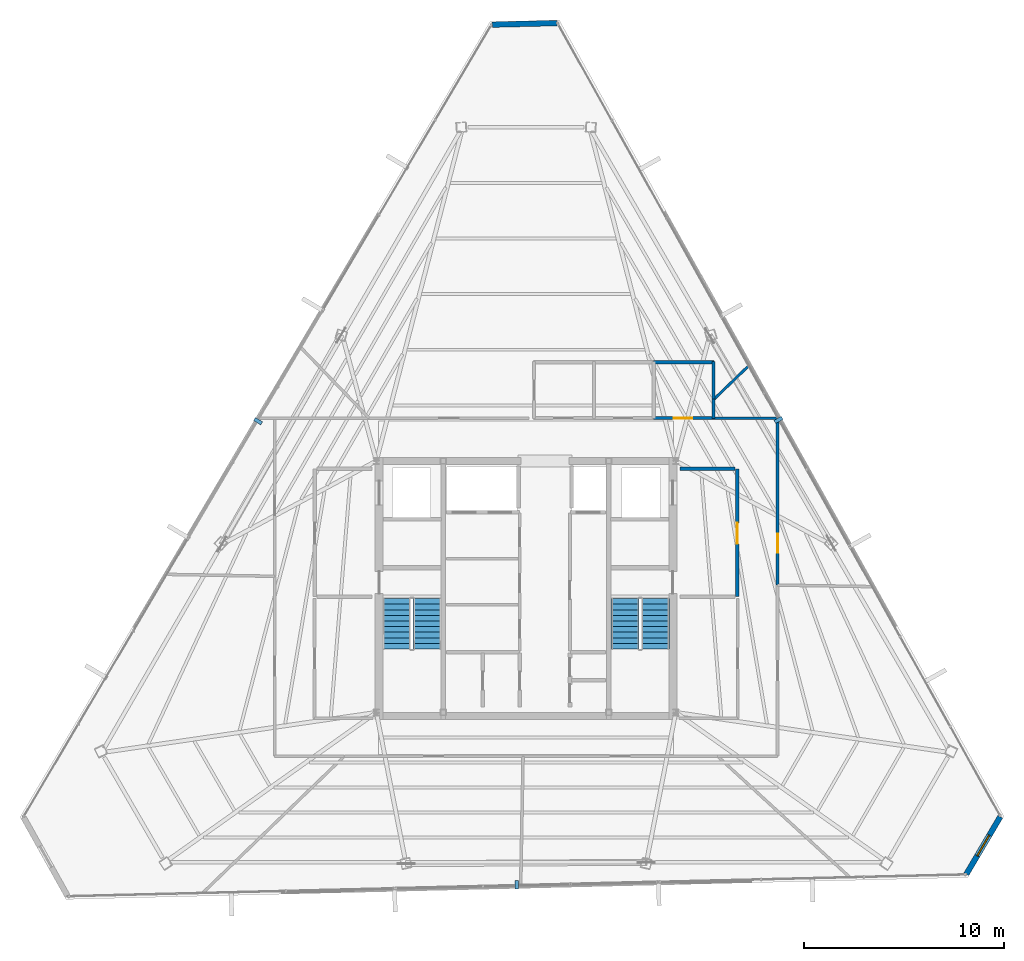
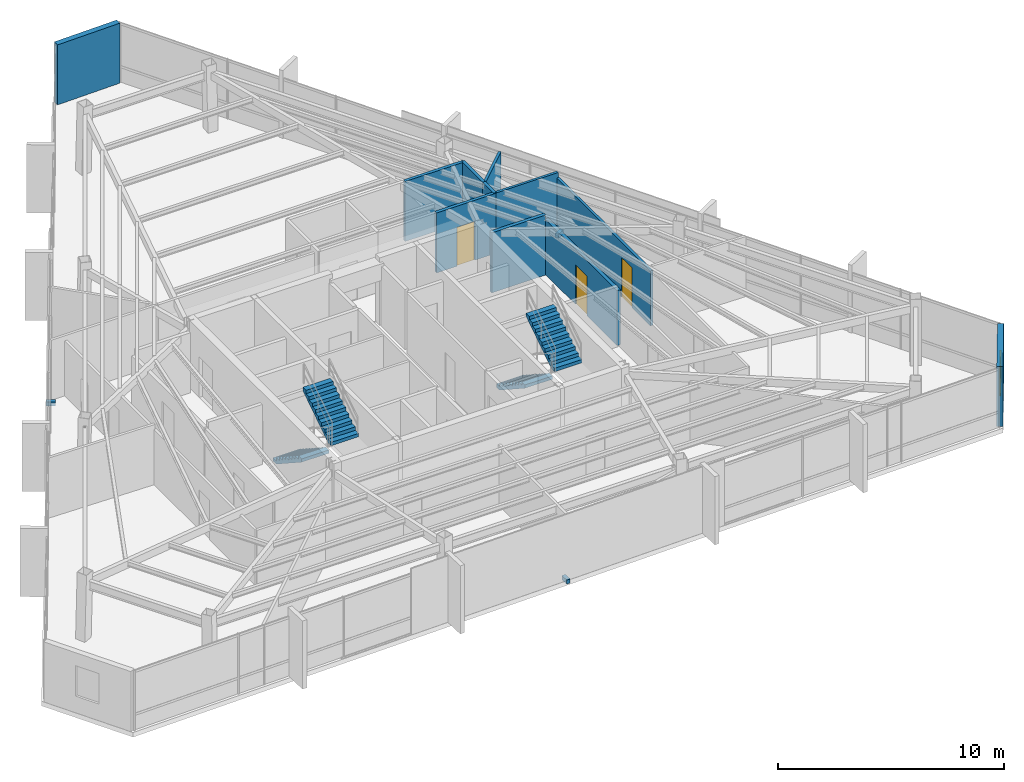
# One storey, part 42 of 44: 11 walls, 4 stair flights, 3 discrete accessories, 3 doors, 1 window, 4 openings, 2 elements without a shape of their own.
"""IFC4 building model written with IfcOpenShell, lengths in metres."""

from ifc_helpers import new_model, si_unit, direction, frame, frame_2d, origin, origin_2d, place, context, subcontext, project, spatial, polyline, rectangle, outline, extrude, source, transform, mapped, material, layer, layer_set, type_object, type_shapes, element, fill, aggregate, save


model = new_model("IFC4")

# Units and contexts
model_context = context("Model", 3, precision=1e-05, world=origin(), true_north=direction((0.0, 1.0)))
body_context = subcontext(model_context, "Body", "Model", "MODEL_VIEW")
ifc_project = project(units=[si_unit("LENGTHUNIT", "METRE"), si_unit("AREAUNIT", "SQUARE_METRE"), si_unit("VOLUMEUNIT", "CUBIC_METRE"), si_unit("PLANEANGLEUNIT", "RADIAN"), si_unit("MASSUNIT", "GRAM", prefix="KILO")], contexts=[model_context])

# Site, building, storey
site_placement = place(None, origin())
site = spatial("IfcSite", under=ifc_project, at=site_placement, CompositionType="ELEMENT")
building_placement = place(site_placement, origin())
building = spatial("IfcBuilding", under=site, at=building_placement, Name="Caelisora Broadcast Tower", CompositionType="ELEMENT")
storey_placement = place(building_placement, frame((0.0, 0.0, 280.949951171875)))
storey = spatial("IfcBuildingStorey", under=building, at=storey_placement, Name="L74", CompositionType="ELEMENT", Elevation=280.949951171875)

# Wall, opening, window
ifc_material_1 = material(Name="Insulated Terracotta Spandrel Wall System", Category="masonry")
ifc_layer_1 = layer(ifc_material_1, 0.280029296875, Name="Insulated Terracotta Spandrel Wall System")
ifc_layer_set_1 = layer_set([ifc_layer_1], Name="Insulated Terracotta Spandrel Wall System")
wall_type_1 = type_object("IfcWallType", Name="EW1", PredefinedType="STANDARD", material=ifc_layer_set_1)
wall_1_placement = place(storey_placement, frame((61.7607421875, 12.169189453125, 0.0), z_axis=(0.0, 0.0, 1.0), x_axis=(-0.508588573776, -0.861009676267, 0.0)))
wall_1 = element("IfcWall", 1, at=wall_1_placement, inside=storey, type_object=wall_type_1, Name="L74 exterior envelope wall EW1", PredefinedType="STANDARD", context=body_context, shape_type="SweptSolid", body=[
    extrude(rectangle(XDim=3.33154296875, YDim=0.280029296875, at=frame_2d((1.665771484375, 0.0))), origin(), (0.0, 0.0, 1.0), 3.25),
])
opening_1_placement = place(wall_1_placement, frame((1.070068359375, 0.0, 0.89990234375)))
opening_1 = element("IfcOpeningElement", 2, at=opening_1_placement, cuts=wall_1, Name="Opening W03", PredefinedType="OPENING", context=body_context, shape_type="SweptSolid", body=[
    extrude(rectangle(XDim=1.199951171875, YDim=1.64990234375, at=frame_2d((0.60009765625, 0.824951171875))), frame((0.0, 0.152099609375, 0.0), z_axis=(0.0, -1.0, 0.0), x_axis=(1.0, 0.0, 0.0)), (0.0, 0.0, 1.0), 0.303955078125),
])
ifc_material_2 = material(Name="Double Glazed Corner Vision Window", Category="glass")
window_type = type_object("IfcWindowType", Name="W03", PartitioningType="SINGLE_PANEL", PredefinedType="WINDOW", material=ifc_material_2)
window_placement = place(opening_1_placement, origin())
window = element("IfcWindow", 3, at=window_placement, inside=storey, type_object=window_type, Name="L74 window W03 (L74-WN-CH0)", OverallHeight=1.64990234375, OverallWidth=1.199951171875, PartitioningType="SINGLE_PANEL", PredefinedType="WINDOW", context=body_context, shape_type="SweptSolid", body=[
    extrude(rectangle(XDim=1.199951171875, YDim=1.64990234375, at=frame_2d((0.60009765625, 0.824951171875))), frame((0.0, 0.030029296875, 0.0), z_axis=(0.0, -1.0, 0.0), x_axis=(1.0, 0.0, 0.0)), (0.0, 0.0, 1.0), 0.06005859375),
])
fill(opening_1, window)

# Wall
wall_2_placement = place(storey_placement, frame((36.305908203125, 51.86376953125, 0.0), z_axis=(0.0, 0.0, 1.0), x_axis=(0.999698829226, 0.024540799573, 0.0)))
element("IfcWall", 4, at=wall_2_placement, inside=storey, type_object=wall_type_1, Name="L74 exterior envelope wall EW1", PredefinedType="STANDARD", context=body_context, shape_type="SweptSolid", body=[
    extrude(rectangle(XDim=3.2431640625, YDim=0.280029296875, at=frame_2d((1.62158203125, 0.0))), origin(), (0.0, 0.0, 1.0), 3.25),
])

# Wall, opening, door
ifc_material_3 = material(Name="Fire-Rated Gypsum Shaft and Compartment Wall", Category="gypsum")
ifc_layer_2 = layer(ifc_material_3, 0.179931640625, Name="Fire-Rated Gypsum Shaft and Compartment Wall")
ifc_layer_set_2 = layer_set([ifc_layer_2], Name="Fire-Rated Gypsum Shaft and Compartment Wall")
wall_type_2 = type_object("IfcWallType", Name="PW2", PredefinedType="PARTITIONING", material=ifc_layer_set_2)
wall_3_placement = place(storey_placement, frame((48.580078125, 23.199951171875, 0.0), z_axis=(0.0, 0.0, 1.0), x_axis=(0.0, 1.0, 0.0)))
wall_3 = element("IfcWall", 5, at=wall_3_placement, inside=storey, type_object=wall_type_2, Name="L74 fire compartment wall PW2", PredefinedType="PARTITIONING", context=body_context, shape_type="SweptSolid", body=[
    extrude(rectangle(XDim=6.400146484375, YDim=0.179931640625, at=frame_2d((3.2001953125, 0.0))), origin(), (0.0, 0.0, 1.0), 2.978759765625),
])
opening_2_placement = place(wall_3_placement, frame((2.64990234375, 0.0, 0.0)))
opening_2 = element("IfcOpeningElement", 6, at=opening_2_placement, cuts=wall_3, Name="Opening FD02", PredefinedType="OPENING", context=body_context, shape_type="SweptSolid", body=[
    extrude(rectangle(XDim=1.050048828125, YDim=2.14990234375, at=frame_2d((0.52490234375, 1.074951171875))), frame((0.0, 0.10205078125, 0.0), z_axis=(0.0, -1.0, 0.0), x_axis=(1.0, 0.0, 0.0)), (0.0, 0.0, 1.0), 0.203857421875),
])
ifc_material_4 = material(Name="Single-Leaf Steel Fire Lobby Door", Category="steel")
door_type_1 = type_object("IfcDoorType", Name="FD02", OperationType="NOTDEFINED", PredefinedType="DOOR", material=ifc_material_4)
door_1_placement = place(opening_2_placement, origin())
door_1 = element("IfcDoor", 7, at=door_1_placement, inside=storey, type_object=door_type_1, Name="L74 door FD02 (L74-DR-P04D1)", OperationType="SINGLE_SWING_RIGHT", OverallHeight=2.14990234375, OverallWidth=1.050048828125, PredefinedType="DOOR", context=body_context, shape_type="SweptSolid", body=[
    extrude(rectangle(XDim=1.050048828125, YDim=2.14990234375, at=frame_2d((0.52490234375, 1.074951171875))), frame((0.0, 0.02490234375, 0.0), z_axis=(0.0, -1.0, 0.0), x_axis=(1.0, 0.0, 0.0)), (0.0, 0.0, 1.0), 0.050048828125),
])
fill(opening_2, door_1)

# Wall
wall_4_placement = place(storey_placement, frame((45.719970703125, 29.60009765625, 0.0), z_axis=(0.0, 0.0, 1.0), x_axis=(1.0, 0.0, 0.0)))
element("IfcWall", 8, at=wall_4_placement, inside=storey, type_object=wall_type_2, Name="L74 fire compartment wall PW2", PredefinedType="PARTITIONING", context=body_context, shape_type="SweptSolid", body=[
    extrude(rectangle(XDim=2.760009765625, YDim=0.179931640625, at=frame_2d((1.3798828125, 0.0))), origin(), (0.0, 0.0, 1.0), 3.25),
])

# Wall, opening, door
ifc_material_5 = material(Name="Acoustic Steel-Stud Plasterboard Partition", Category="gypsum")
ifc_layer_3 = layer(ifc_material_5, 0.1298828125, Name="Acoustic Steel-Stud Plasterboard Partition")
ifc_layer_set_3 = layer_set([ifc_layer_3], Name="Acoustic Steel-Stud Plasterboard Partition")
wall_type_3 = type_object("IfcWallType", Name="PW3", PredefinedType="PARTITIONING", material=ifc_layer_set_3)
wall_5_placement = place(storey_placement, frame((50.60009765625, 23.784912109375, 0.0), z_axis=(0.0, 0.0, 1.0), x_axis=(0.0, 1.0, 0.0)))
wall_5 = element("IfcWall", 9, at=wall_5_placement, inside=storey, type_object=wall_type_3, Name="L74 internal partition PW3", PredefinedType="PARTITIONING", context=body_context, shape_type="SweptSolid", body=[
    extrude(rectangle(XDim=8.402587890625, YDim=0.1298828125, at=frame_2d((4.201171875, 0.0))), origin(), (0.0, 0.0, 1.0), 2.978759765625),
])
opening_3_placement = place(wall_5_placement, frame((1.6201171875, 0.0, 0.0)))
opening_3 = element("IfcOpeningElement", 10, at=opening_3_placement, cuts=wall_5, Name="Opening D01", PredefinedType="OPENING", context=body_context, shape_type="SweptSolid", body=[
    extrude(rectangle(XDim=0.9599609375, YDim=2.14990234375, at=frame_2d((0.47998046875, 1.074951171875))), frame((0.0, 0.076904296875, 0.0), z_axis=(0.0, -1.0, 0.0), x_axis=(1.0, 0.0, 0.0)), (0.0, 0.0, 1.0), 0.15380859375),
])
ifc_material_6 = material(Name="Solid-Core Timber Acoustic Office Door", Category="wood")
door_type_2 = type_object("IfcDoorType", Name="D01", OperationType="NOTDEFINED", PredefinedType="DOOR", material=ifc_material_6)
door_2_placement = place(opening_3_placement, origin())
door_2 = element("IfcDoor", 11, at=door_2_placement, inside=storey, type_object=door_type_2, Name="L74 door D01 (L74-DR-P38D1)", OperationType="SINGLE_SWING_RIGHT", OverallHeight=2.14990234375, OverallWidth=0.9599609375, PredefinedType="DOOR", context=body_context, shape_type="SweptSolid", body=[
    extrude(rectangle(XDim=0.9599609375, YDim=2.14990234375, at=frame_2d((0.47998046875, 1.074951171875))), frame((0.0, 0.02490234375, 0.0), z_axis=(0.0, -1.0, 0.0), x_axis=(1.0, 0.0, 0.0)), (0.0, 0.0, 1.0), 0.050048828125),
])
fill(opening_3, door_2)

# Walls
wall_6_placement = place(storey_placement, frame((50.612060546875, 32.14990234375, 0.0), z_axis=(0.0, 0.0, 1.0), x_axis=(-1.0, 0.0, 0.0)))
element("IfcWall", 12, at=wall_6_placement, inside=storey, type_object=wall_type_3, Name="L74 internal partition PW3", PredefinedType="PARTITIONING", context=body_context, shape_type="SweptSolid", body=[
    extrude(rectangle(XDim=3.20703125, YDim=0.1298828125, at=frame_2d((1.603515625, 0.0))), origin(), (0.0, 0.0, 1.0), 3.25),
])
wall_7_placement = place(storey_placement, frame((47.404052734375, 33.0830078125, 0.0), z_axis=(0.0, 0.0, 1.0), x_axis=(0.720486230729, 0.693469243247, 0.0)))
element("IfcWall", 13, at=wall_7_placement, inside=storey, type_object=wall_type_3, Name="L74 internal partition PW3", PredefinedType="PARTITIONING", context=body_context, shape_type="SweptSolid", body=[
    extrude(rectangle(XDim=2.448974609375, YDim=0.1298828125, at=frame_2d((1.224609375, 0.0))), origin(), (0.0, 0.0, 1.0), 3.25),
])

# Wall, opening, door
ifc_material_7 = material(Name="Moisture-Resistant Wet Plumbing Service Wall", Category="gypsum")
ifc_layer_4 = layer(ifc_material_7, 0.159912109375, Name="Moisture-Resistant Wet Plumbing Service Wall")
ifc_layer_set_4 = layer_set([ifc_layer_4], Name="Moisture-Resistant Wet Plumbing Service Wall")
wall_type_4 = type_object("IfcWallType", Name="PW4", PredefinedType="PLUMBINGWALL", material=ifc_layer_set_4)
wall_8_placement = place(storey_placement, frame((44.375, 32.14990234375, 0.0), z_axis=(0.0, 0.0, 1.0), x_axis=(1.0, 0.0, 0.0)))
wall_8 = element("IfcWall", 14, at=wall_8_placement, inside=storey, type_object=wall_type_4, Name="L74 wet plumbing wall PW4", PredefinedType="PLUMBINGWALL", context=body_context, shape_type="SweptSolid", body=[
    extrude(rectangle(XDim=3.050048828125, YDim=0.159912109375, at=frame_2d((1.52490234375, 0.0))), origin(), (0.0, 0.0, 1.0), 3.25),
])
opening_4_placement = place(wall_8_placement, frame((1.034912109375, 0.0, 0.0)))
opening_4 = element("IfcOpeningElement", 15, at=opening_4_placement, cuts=wall_8, Name="Opening D03", PredefinedType="OPENING", context=body_context, shape_type="SweptSolid", body=[
    extrude(rectangle(XDim=0.919921875, YDim=2.10009765625, at=frame_2d((0.4599609375, 1.050048828125))), frame((0.0, 0.092041015625, 0.0), z_axis=(0.0, -1.0, 0.0), x_axis=(1.0, 0.0, 0.0)), (0.0, 0.0, 1.0), 0.183837890625),
])
ifc_material_8 = material(Name="Laminate Moisture-Resistant Amenity WC Door", Category="wood")
door_type_3 = type_object("IfcDoorType", Name="D03", OperationType="NOTDEFINED", PredefinedType="DOOR", material=ifc_material_8)
door_3_placement = place(opening_4_placement, origin())
door_3 = element("IfcDoor", 16, at=door_3_placement, inside=storey, type_object=door_type_3, Name="L74 door D03 (L74-DR-P21D1)", OperationType="SINGLE_SWING_LEFT", OverallHeight=2.10009765625, OverallWidth=0.919921875, PredefinedType="DOOR", context=body_context, shape_type="SweptSolid", body=[
    extrude(rectangle(XDim=0.919921875, YDim=2.10009765625, at=frame_2d((0.4599609375, 1.050048828125))), frame((0.0, 0.02490234375, 0.0), z_axis=(0.0, -1.0, 0.0), x_axis=(1.0, 0.0, 0.0)), (0.0, 0.0, 1.0), 0.050048828125),
])
fill(opening_4, door_3)

# Walls
wall_9_placement = place(storey_placement, frame((47.425048828125, 34.949951171875, 0.0), z_axis=(0.0, 0.0, 1.0), x_axis=(-1.0, 0.0, 0.0)))
element("IfcWall", 17, at=wall_9_placement, inside=storey, type_object=wall_type_4, Name="L74 wet plumbing wall PW4", PredefinedType="PLUMBINGWALL", context=body_context, shape_type="SweptSolid", body=[
    extrude(rectangle(XDim=3.050048828125, YDim=0.159912109375, at=frame_2d((1.52490234375, 0.0))), origin(), (0.0, 0.0, 1.0), 3.25),
])
wall_10_placement = place(storey_placement, frame((47.39990234375, 33.054931640625, 0.0), z_axis=(0.0, 0.0, 1.0), x_axis=(0.0, 1.0, 0.0)))
element("IfcWall", 18, at=wall_10_placement, inside=storey, type_object=wall_type_4, Name="L74 wet plumbing wall PW4", PredefinedType="PLUMBINGWALL", context=body_context, shape_type="SweptSolid", body=[
    extrude(rectangle(XDim=1.920166015625, YDim=0.159912109375, at=frame_2d((0.9599609375, 0.0))), origin(), (0.0, 0.0, 1.0), 3.25),
])
wall_11_placement = place(storey_placement, frame((47.39990234375, 32.125, 0.0), z_axis=(0.0, 0.0, 1.0), x_axis=(0.0, 1.0, 0.0)))
element("IfcWall", 19, at=wall_11_placement, inside=storey, type_object=wall_type_4, Name="L74 wet plumbing wall PW4", PredefinedType="PLUMBINGWALL", context=body_context, shape_type="SweptSolid", body=[
    extrude(rectangle(XDim=0.97998046875, YDim=0.159912109375, at=frame_2d((0.489990234375, 0.0))), origin(), (0.0, 0.0, 1.0), 3.25),
])

# Stair, stair flights
ifc_material_9 = material(Name="Concrete 40 MPa (AS 3600 N40)", Category="concrete")
stair_type_1 = type_object("IfcStairType", Name="ST-1", PredefinedType="HALF_TURN_STAIR", material=ifc_material_9)
stair_1_placement = place(storey_placement, origin())
stair_1 = element("IfcStair", 20, at=stair_1_placement, inside=storey, type_object=stair_type_1, Name="L74 West Fire-Isolated Tower Stair", PredefinedType="HALF_TURN_STAIR")
stair_flight_type = type_object("IfcStairFlightType", Name="STF-4", PredefinedType="STRAIGHT", material=ifc_material_9)
stair_flight_1_placement = place(storey_placement, frame((31.52001953125, 23.10009765625, 0.0), z_axis=(0.0, 0.0, 1.0), x_axis=(0.0, -1.0, 0.0)))
stair_flight_1 = element("IfcStairFlight", 21, at=stair_flight_1_placement, type_object=stair_flight_type, Name="ST-1 flight 1", NumberOfRisers=10, NumberOfTreads=9, PredefinedType="STRAIGHT", RiserHeight=0.1825, TreadLength=0.28, context=body_context, shape_type="SweptSolid", body=[
    extrude(outline(polyline([(0.0, 0.0), (0.0, 0.1826171875), (0.280029296875, 0.1826171875), (0.280029296875, 0.364990234375), (0.56005859375, 0.364990234375), (0.56005859375, 0.547607421875), (0.840087890625, 0.547607421875), (0.840087890625, 0.72998046875), (1.1201171875, 0.72998046875), (1.1201171875, 0.91259765625), (1.39990234375, 0.91259765625), (1.39990234375, 1.094970703125), (1.679931640625, 1.094970703125), (1.679931640625, 1.277587890625), (1.9599609375, 1.277587890625), (1.9599609375, 1.4599609375), (2.239990234375, 1.4599609375), (2.239990234375, 1.642578125), (2.52001953125, 1.642578125), (2.52001953125, 1.824951171875), (2.52001953125, 1.463623046875), (0.2744140625, 0.0), (0.0, 0.0)])), frame((0.0, 0.699951171875, 0.0), z_axis=(0.0, -1.0, 0.0), x_axis=(1.0, 0.0, 0.0)), (0.0, 0.0, 1.0), 1.39990234375),
])
stair_flight_2_placement = place(storey_placement, frame((33.0400390625, 20.580078125, 1.824951171875), z_axis=(0.0, 0.0, 1.0), x_axis=(0.0, 1.0, 0.0)))
stair_flight_2 = element("IfcStairFlight", 22, at=stair_flight_2_placement, type_object=stair_flight_type, Name="ST-1 flight 2", NumberOfRisers=10, NumberOfTreads=9, PredefinedType="STRAIGHT", RiserHeight=0.1825, TreadLength=0.28, context=body_context, shape_type="SweptSolid", body=[
    extrude(outline(polyline([(0.0, 0.0), (0.0, 0.1826171875), (0.280029296875, 0.1826171875), (0.280029296875, 0.364990234375), (0.56005859375, 0.364990234375), (0.56005859375, 0.547607421875), (0.840087890625, 0.547607421875), (0.840087890625, 0.72998046875), (1.1201171875, 0.72998046875), (1.1201171875, 0.91259765625), (1.39990234375, 0.91259765625), (1.39990234375, 1.094970703125), (1.679931640625, 1.094970703125), (1.679931640625, 1.277587890625), (1.9599609375, 1.277587890625), (1.9599609375, 1.4599609375), (2.239990234375, 1.4599609375), (2.239990234375, 1.642578125), (2.52001953125, 1.642578125), (2.52001953125, 1.824951171875), (2.52001953125, 1.463623046875), (0.2744140625, 0.0), (0.0, 0.0)])), frame((0.0, 0.699951171875, 0.0), z_axis=(0.0, -1.0, 0.0), x_axis=(1.0, 0.0, 0.0)), (0.0, 0.0, 1.0), 1.39990234375),
])
aggregate(stair_1, [stair_flight_1, stair_flight_2])

stair_type_2 = type_object("IfcStairType", Name="ST-2", PredefinedType="HALF_TURN_STAIR", material=ifc_material_9)
stair_2_placement = place(storey_placement, origin())
stair_2 = element("IfcStair", 23, at=stair_2_placement, inside=storey, type_object=stair_type_2, Name="L74 East Fire-Isolated Tower Stair", PredefinedType="HALF_TURN_STAIR")
stair_flight_3_placement = place(storey_placement, frame((42.9599609375, 23.10009765625, 0.0), z_axis=(0.0, 0.0, 1.0), x_axis=(0.0, -1.0, 0.0)))
stair_flight_3 = element("IfcStairFlight", 24, at=stair_flight_3_placement, type_object=stair_flight_type, Name="ST-2 flight 1", NumberOfRisers=10, NumberOfTreads=9, PredefinedType="STRAIGHT", RiserHeight=0.1825, TreadLength=0.28, context=body_context, shape_type="SweptSolid", body=[
    extrude(outline(polyline([(0.0, 0.0), (0.0, 0.1826171875), (0.280029296875, 0.1826171875), (0.280029296875, 0.364990234375), (0.56005859375, 0.364990234375), (0.56005859375, 0.547607421875), (0.840087890625, 0.547607421875), (0.840087890625, 0.72998046875), (1.1201171875, 0.72998046875), (1.1201171875, 0.91259765625), (1.39990234375, 0.91259765625), (1.39990234375, 1.094970703125), (1.679931640625, 1.094970703125), (1.679931640625, 1.277587890625), (1.9599609375, 1.277587890625), (1.9599609375, 1.4599609375), (2.239990234375, 1.4599609375), (2.239990234375, 1.642578125), (2.52001953125, 1.642578125), (2.52001953125, 1.824951171875), (2.52001953125, 1.463623046875), (0.2744140625, 0.0), (0.0, 0.0)])), frame((0.0, 0.699951171875, 0.0), z_axis=(0.0, -1.0, 0.0), x_axis=(1.0, 0.0, 0.0)), (0.0, 0.0, 1.0), 1.39990234375),
])
stair_flight_4_placement = place(storey_placement, frame((44.47998046875, 20.580078125, 1.824951171875), z_axis=(0.0, 0.0, 1.0), x_axis=(0.0, 1.0, 0.0)))
stair_flight_4 = element("IfcStairFlight", 25, at=stair_flight_4_placement, type_object=stair_flight_type, Name="ST-2 flight 2", NumberOfRisers=10, NumberOfTreads=9, PredefinedType="STRAIGHT", RiserHeight=0.1825, TreadLength=0.28, context=body_context, shape_type="SweptSolid", body=[
    extrude(outline(polyline([(0.0, 0.0), (0.0, 0.1826171875), (0.280029296875, 0.1826171875), (0.280029296875, 0.364990234375), (0.56005859375, 0.364990234375), (0.56005859375, 0.547607421875), (0.840087890625, 0.547607421875), (0.840087890625, 0.72998046875), (1.1201171875, 0.72998046875), (1.1201171875, 0.91259765625), (1.39990234375, 0.91259765625), (1.39990234375, 1.094970703125), (1.679931640625, 1.094970703125), (1.679931640625, 1.277587890625), (1.9599609375, 1.277587890625), (1.9599609375, 1.4599609375), (2.239990234375, 1.4599609375), (2.239990234375, 1.642578125), (2.52001953125, 1.642578125), (2.52001953125, 1.824951171875), (2.52001953125, 1.463623046875), (0.2744140625, 0.0), (0.0, 0.0)])), frame((0.0, 0.699951171875, 0.0), z_axis=(0.0, -1.0, 0.0), x_axis=(1.0, 0.0, 0.0)), (0.0, 0.0, 1.0), 1.39990234375),
])
aggregate(stair_2, [stair_flight_3, stair_flight_4])

# Discrete accessories
ifc_material_10 = material(Name="Steel Grade 350 (AS/NZS 3679.1)", Category="steel")
discrete_accessory_type = type_object("IfcDiscreteAccessoryType", Name="BRK-1", PredefinedType="BRACKET", material=ifc_material_10)
shared_shape = source(origin(), body_context, "Body", "SweptSolid", [
    extrude(rectangle(XDim=0.179931640625, YDim=0.419921875, at=origin_2d()), origin(), (0.0, 0.0, 1.0), 0.219970703125),
])
type_shapes(discrete_accessory_type, [shared_shape])
for number, where, z_axis, x_axis, name in (
    (26, (24.570556640625, 31.991943359375, -0.16015625), (0.0, 0.0, 1.0), (-0.508740929096, -0.860919663536, 0.0), "L74 solar screen outrigger bracket #1"),
    (27, (37.5380859375, 8.7578125, -0.16015625), (0.0, 0.0, 1.0), (0.999705738774, 0.024257696956, 0.0), "L74 solar screen outrigger bracket #2"),
    (28, (50.64990234375, 32.056640625, -0.16015625), (0.0, 0.0, 1.0), (-0.487554922136, 0.873092319232, 0.0), "L74 solar screen outrigger bracket #3"),
):
    element("IfcDiscreteAccessory", number, at=place(storey_placement, frame(where, z_axis=z_axis, x_axis=x_axis)), inside=storey, type_object=discrete_accessory_type, Name=name, PredefinedType="BRACKET", context=body_context, shape_type="MappedRepresentation", body=[
        mapped(shared_shape, transform((0.0, 0.0, 0.0), scale=1.0)),
    ])

save(model, "model.ifc")
